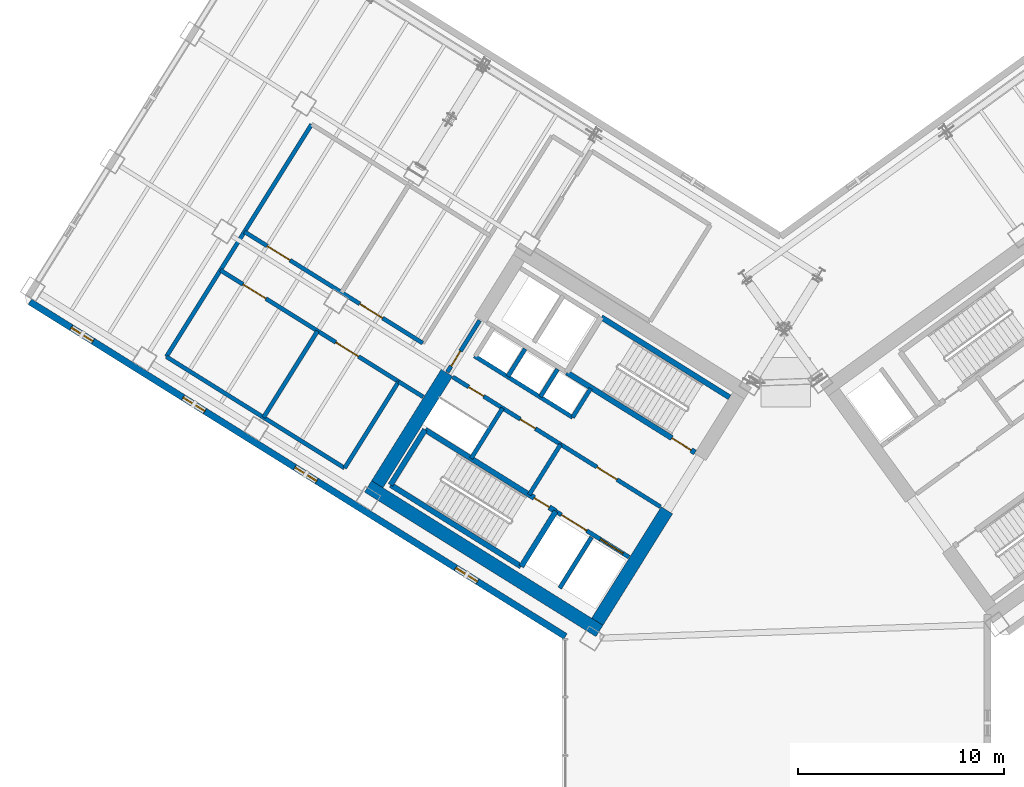
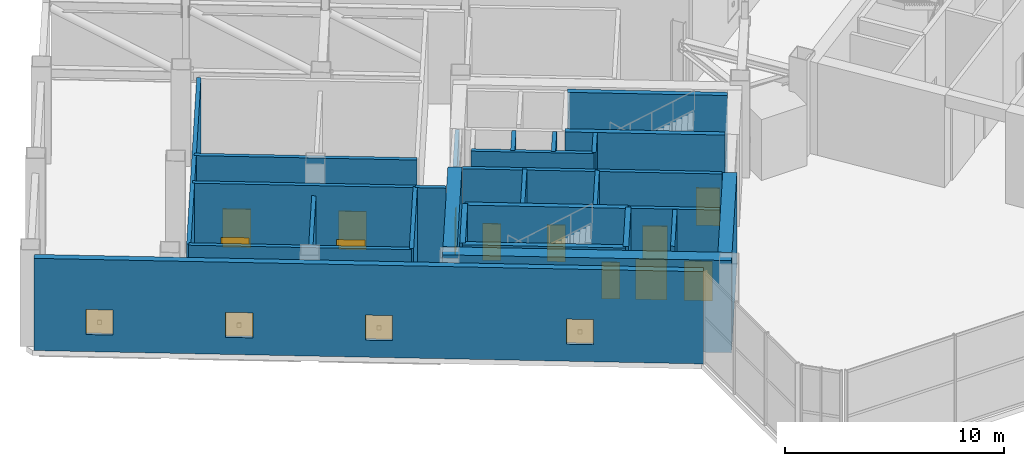
# One storey, part 14 of 21: 28 walls, 12 doors, 4 windows, 16 openings.
"""IFC4 building model written with IfcOpenShell, lengths in metres."""

import ifcopenshell
import ifcopenshell.guid

model = None  # the IFC model being written
_history = None  # IfcOwnerHistory: only IFC2X3 demands one
_inside = {}  # id of a spatial element -> (the spatial element, [elements in it])
_under = {}  # id of a project, library or spatial element -> (it, [spatial elements below it])
_declared = {}  # id of a project -> (the project, [libraries it declares])
_typed = {}  # id of a type object -> (the type object, [elements of that type])
_made_of = {}  # id of a material, layer set ... -> (it, [elements and type objects made of it])


def new_model(schema):
    """Start an empty IFC model of exactly this schema.

    Asked for "IFC4X3", IfcOpenShell would pick the latest addendum, in which some entities
    have other attributes; the version numbers below select the first issue.
    IFC2X3 requires an IfcOwnerHistory on every rooted entity: one is made here for all.
    """
    global model, _history
    if schema == "IFC4X3":
        model = ifcopenshell.file(schema_version=(4, 3, 0, 0))
    else:
        model = ifcopenshell.file(schema=schema)
    _inside.clear()
    _under.clear()
    _declared.clear()
    _typed.clear()
    _made_of.clear()
    _history = None
    if model.schema == "IFC2X3":
        org = make("IfcOrganization", Name="unknown")
        user = make(
            "IfcPersonAndOrganization",
            ThePerson=make("IfcPerson", FamilyName="unknown"),
            TheOrganization=org,
        )
        app = make(
            "IfcApplication",
            ApplicationDeveloper=org,
            Version="unknown",
            ApplicationFullName="unknown",
            ApplicationIdentifier="unknown",
        )
        _history = make(
            "IfcOwnerHistory",
            OwningUser=user,
            OwningApplication=app,
            ChangeAction="ADDED",
            CreationDate=0,
        )
    return model


def make(cls, **values):
    """One entity of the class cls with the attributes given. An attribute that is None is left unset."""
    return model.create_entity(
        cls, **{name: value for name, value in values.items() if value is not None}
    )


def rooted(cls, **values):
    """An entity with a GlobalId (a new one), such as an element, a storey or a relation."""
    return make(cls, GlobalId=ifcopenshell.guid.new(), OwnerHistory=_history, **values)


def si_unit(unit_type, name, prefix=None):
    """IfcSIUnit, for example si_unit("LENGTHUNIT", "METRE", prefix="MILLI")."""
    return make("IfcSIUnit", UnitType=unit_type, Prefix=prefix, Name=name)


def assignment(units):
    """IfcUnitAssignment: the units of a project."""
    return None if units is None else make("IfcUnitAssignment", Units=units)


def point(xyz):
    """IfcCartesianPoint."""
    return None if xyz is None else make("IfcCartesianPoint", Coordinates=xyz)


def direction(xyz):
    """IfcDirection."""
    return None if xyz is None else make("IfcDirection", DirectionRatios=xyz)


def frame(location, z_axis=None, x_axis=None):
    """IfcAxis2Placement3D, a coordinate frame: its origin and axes. An axis left out is left unset."""
    return make(
        "IfcAxis2Placement3D",
        Location=point(location),
        Axis=direction(z_axis),
        RefDirection=direction(x_axis),
    )


def frame_2d(location, x_axis=None):
    """IfcAxis2Placement2D, a coordinate frame in the plane: its origin and x axis."""
    return make(
        "IfcAxis2Placement2D", Location=point(location), RefDirection=direction(x_axis)
    )


def origin():
    """The frame at (0, 0, 0) with its axes left unset."""
    return frame((0.0, 0.0, 0.0))


def place(relative_to, where):
    """IfcLocalPlacement: puts the frame where relative to a parent placement (None: the world)."""
    return make(
        "IfcLocalPlacement", PlacementRelTo=relative_to, RelativePlacement=where
    )


def context(
    kind, dimensions, precision=None, world=None, true_north=None, identifier=None
):
    """IfcGeometricRepresentationContext, for example the 3D "Model" context."""
    return make(
        "IfcGeometricRepresentationContext",
        ContextIdentifier=identifier,
        ContextType=kind,
        CoordinateSpaceDimension=dimensions,
        Precision=precision,
        WorldCoordinateSystem=world,
        TrueNorth=true_north,
    )


def subcontext(parent, identifier, kind, view, scale=None):
    """IfcGeometricRepresentationSubContext, for example "Body" below "Model"."""
    return make(
        "IfcGeometricRepresentationSubContext",
        ContextIdentifier=identifier,
        ContextType=kind,
        ParentContext=parent,
        TargetScale=scale,
        TargetView=view,
    )


def project(units=None, contexts=None):
    """IfcProject with its units and contexts."""
    return rooted(
        "IfcProject",
        Name="project",
        RepresentationContexts=contexts,
        UnitsInContext=assignment(units),
    )


def spatial(cls, under=None, at=None, **own):
    """A site, building, storey or space (cls), placed at a placement, below another one or the project."""
    s = rooted(cls, ObjectPlacement=at, **own)
    if under is not None:
        _under.setdefault(under.id(), (under, []))[1].append(s)
    return s


def profile(cls, at=None, kind="AREA", **sizes):
    """A parametric profile (cls). Its sizes go by their IFC names, for example OverallWidth=200.0."""
    return make(cls, ProfileType=kind, Position=at, **sizes)


def rectangle(**sizes):
    """IfcRectangleProfileDef."""
    return profile("IfcRectangleProfileDef", **sizes)


def extrude(swept, where, along, depth):
    """IfcExtrudedAreaSolid: the profile swept, set in the frame where, extruded along a direction by depth."""
    return make(
        "IfcExtrudedAreaSolid",
        SweptArea=swept,
        Position=where,
        ExtrudedDirection=direction(along),
        Depth=depth,
    )


def shape(context_of_items, identifier, shape_type, items):
    """IfcShapeRepresentation: the items that make up one representation, for example the "Body"."""
    return make(
        "IfcShapeRepresentation",
        ContextOfItems=context_of_items,
        RepresentationIdentifier=identifier,
        RepresentationType=shape_type,
        Items=items,
    )


def source(mapping_origin, context_of_items, identifier, shape_type, items):
    """IfcRepresentationMap: a shape defined once, which mapped items show again and again."""
    return make(
        "IfcRepresentationMap",
        MappingOrigin=mapping_origin,
        MappedRepresentation=shape(context_of_items, identifier, shape_type, items),
    )


def transform(
    local_origin,
    x_axis=None,
    y_axis=None,
    z_axis=None,
    scale=None,
    scale2=None,
    scale3=None,
    uniform=True,
):
    """IfcCartesianTransformationOperator3D, or its non-uniform kind. x_axis, y_axis, z_axis: its Axis1, 2, 3."""
    if uniform:
        return make(
            "IfcCartesianTransformationOperator3D",
            Axis1=direction(x_axis),
            Axis2=direction(y_axis),
            LocalOrigin=point(local_origin),
            Scale=scale,
            Axis3=direction(z_axis),
        )
    return make(
        "IfcCartesianTransformationOperator3DnonUniform",
        Axis1=direction(x_axis),
        Axis2=direction(y_axis),
        LocalOrigin=point(local_origin),
        Scale=scale,
        Axis3=direction(z_axis),
        Scale2=scale2,
        Scale3=scale3,
    )


def mapped(mapping_source, mapping_target):
    """IfcMappedItem: shows the shape of a source again, moved by a transform."""
    return make(
        "IfcMappedItem", MappingSource=mapping_source, MappingTarget=mapping_target
    )


def material(Name=None, Category=None):
    """IfcMaterial."""
    return make("IfcMaterial", Name=Name, Category=Category)


def layer(
    of_material, thickness, ventilated=None, Name=None, Category=None, Priority=None
):
    """IfcMaterialLayer: one layer of a wall or slab, of a material (None: an air gap)."""
    return make(
        "IfcMaterialLayer",
        Material=of_material,
        LayerThickness=thickness,
        IsVentilated=ventilated,
        Name=Name,
        Category=Category,
        Priority=Priority,
    )


def layer_set(layers, Name=None):
    """IfcMaterialLayerSet."""
    return make("IfcMaterialLayerSet", MaterialLayers=layers, LayerSetName=Name)


def made_of(thing, what):
    """Note that an element or type object is made of a material, layer set ...; save() writes the relation."""
    if what is not None:
        _made_of.setdefault(what.id(), (what, []))[1].append(thing)
    return thing


def type_object(cls, material=None, **own):
    """A type object (cls), such as IfcWallType, which elements share."""
    return made_of(rooted(cls, **own), material)


def element(
    cls,
    number,
    at=None,
    inside=None,
    cuts=None,
    type_object=None,
    material=None,
    context=None,
    identifier="Body",
    shape_type=None,
    held_by="IfcProductDefinitionShape",
    body=None,
    shapes=None,
    **own,
):
    """One element of the class cls, such as IfcWall. Its Tag is "e" and its number.

    at: its placement. inside: the storey or other place that contains it. cuts: it is an
    opening in that element (IfcRelVoidsElement). A single representation is given by context,
    identifier, shape_type and body (its items); several are given by shapes. held_by: the class
    of the entity that holds the representations. save() writes the other relations.
    """
    e = rooted(cls, Tag="e%d" % number, ObjectPlacement=at, **own)
    if body is not None:
        shapes = [shape(context, identifier, shape_type, body)]
    if shapes is not None:
        e.Representation = make(held_by, Representations=shapes)
    if inside is not None:
        _inside.setdefault(inside.id(), (inside, []))[1].append(e)
    if cuts is not None:
        rooted(
            "IfcRelVoidsElement", RelatingBuildingElement=cuts, RelatedOpeningElement=e
        )
    if type_object is not None:
        _typed.setdefault(type_object.id(), (type_object, []))[1].append(e)
    return made_of(e, material)


def fill(opening, filler):
    """IfcRelFillsElement: the door or window that sits in an opening."""
    return rooted(
        "IfcRelFillsElement",
        RelatingOpeningElement=opening,
        RelatedBuildingElement=filler,
    )


def aggregate(whole, parts):
    """IfcRelAggregates: a whole, such as a stair, and the parts it consists of."""
    return rooted("IfcRelAggregates", RelatingObject=whole, RelatedObjects=parts)


def save(model, path):
    """Write the relations noted so far, then the file.

    IfcRelAggregates (storeys below a building ...), IfcRelContainedInSpatialStructure (elements
    in a storey), IfcRelDefinesByType, IfcRelAssociatesMaterial and IfcRelDeclares: one each for
    every whole, place, type object, material and project.
    """
    for whole, parts in _under.values():
        aggregate(whole, parts)
    for where, things in _inside.values():
        rooted(
            "IfcRelContainedInSpatialStructure",
            RelatedElements=things,
            RelatingStructure=where,
        )
    for kind, things in _typed.values():
        rooted("IfcRelDefinesByType", RelatedObjects=things, RelatingType=kind)
    for what, things in _made_of.values():
        rooted("IfcRelAssociatesMaterial", RelatedObjects=things, RelatingMaterial=what)
    for by, libraries in _declared.values():
        rooted("IfcRelDeclares", RelatingContext=by, RelatedDefinitions=libraries)
    model.write(path)


model = new_model("IFC4")

# Units and contexts
model_context = context("Model", 3, precision=1e-05, world=origin(), true_north=direction((0.0, 1.0)))
body_context = subcontext(model_context, "Body", "Model", "MODEL_VIEW")
ifc_project = project(units=[si_unit("LENGTHUNIT", "METRE"), si_unit("AREAUNIT", "SQUARE_METRE"), si_unit("VOLUMEUNIT", "CUBIC_METRE"), si_unit("PLANEANGLEUNIT", "RADIAN"), si_unit("MASSUNIT", "GRAM", prefix="KILO")], contexts=[model_context])

# Site, building, storey
site_placement = place(None, origin())
site = spatial("IfcSite", under=ifc_project, at=site_placement, CompositionType="ELEMENT")
building_placement = place(site_placement, origin())
building = spatial("IfcBuilding", under=site, at=building_placement, Name="Tlacorven Tower", CompositionType="ELEMENT")
storey_placement = place(building_placement, frame((0.0, 0.0, 84.60009765625)))
storey = spatial("IfcBuildingStorey", under=building, at=storey_placement, Name="L21", CompositionType="ELEMENT", Elevation=84.60009765625)

# Walls
ifc_material_1 = material(Name="Concrete C60/75", Category="concrete")
ifc_layer_1 = layer(ifc_material_1, 0.64990234375)
ifc_layer_set_1 = layer_set([ifc_layer_1], Name="Concrete C60/75")
wall_type_1 = type_object("IfcWallType", Name="WL-COR-650", PredefinedType="SHEAR", material=ifc_layer_set_1)
wall_1_placement = place(storey_placement, frame((33.40869140625, 12.449951171875, 0.0), z_axis=(0.0, 0.0, 1.0), x_axis=(-0.848051132073, 0.529914405721, 0.0)))
element("IfcWall", 1, at=wall_1_placement, inside=storey, type_object=wall_type_1, Name="L21 W core shear wall S2", PredefinedType="SHEAR", context=body_context, shape_type="SweptSolid", body=[
    extrude(rectangle(XDim=13.239990234375, YDim=0.64990234375, at=frame_2d((6.6201171875, 0.0))), origin(), (0.0, 0.0, 1.0), 5.14990234375),
])
wall_2_placement = place(storey_placement, frame((36.683349609375, 18.30419921875, 0.0), z_axis=(0.0, 0.0, 1.0), x_axis=(-0.529899109053, -0.848060690178, 0.0)))
element("IfcWall", 2, at=wall_2_placement, inside=storey, type_object=wall_type_1, Name="L21 W core end wall E1.2", PredefinedType="SHEAR", context=body_context, shape_type="SweptSolid", body=[
    extrude(rectangle(XDim=6.375244140625, YDim=0.64990234375, at=frame_2d((3.1875, 0.0))), origin(), (0.0, 0.0, 1.0), 5.14990234375),
])
wall_3_placement = place(storey_placement, frame((26.006591796875, 24.975830078125, 0.0), z_axis=(0.0, 0.0, 1.0), x_axis=(-0.529916319127, -0.848049936456, 0.0)))
element("IfcWall", 3, at=wall_3_placement, inside=storey, type_object=wall_type_1, Name="L21 W core end wall E2.2", PredefinedType="SHEAR", context=body_context, shape_type="SweptSolid", body=[
    extrude(rectangle(XDim=6.375, YDim=0.64990234375, at=frame_2d((3.1875, 0.0))), origin(), (0.0, 0.0, 1.0), 5.14990234375),
])

# Wall, openings, windows
ifc_material_2 = material(Name="Precast concrete C45/55", Category="concrete")
ifc_layer_2 = layer(ifc_material_2, 0.320068359375)
ifc_layer_set_2 = layer_set([ifc_layer_2], Name="Precast concrete C45/55")
wall_type_2 = type_object("IfcWallType", Name="WL-EXT-320", PredefinedType="STANDARD", material=ifc_layer_set_2)
wall_4_placement = place(storey_placement, frame((31.760009765625, 12.18310546875, 0.0), z_axis=(0.0, 0.0, 1.0), x_axis=(-0.848047074256, 0.529920899612, 0.0)))
wall_4 = element("IfcWall", 4, at=wall_4_placement, inside=storey, type_object=wall_type_2, Name="L21 Masonry-Frame Recessed Facade Wall 1", PredefinedType="STANDARD", context=body_context, shape_type="SweptSolid", body=[
    extrude(rectangle(XDim=30.652099609375, YDim=0.320068359375, at=frame_2d((15.326171875, 0.0))), origin(), (0.0, 0.0, 1.0), 5.14990234375),
])
opening_1_placement = place(wall_4_placement, frame((5.029296875, 0.0, 0.949951171875)))
opening_1 = element("IfcOpeningElement", 5, at=opening_1_placement, cuts=wall_4, Name="Opening WN20", PredefinedType="OPENING", context=body_context, shape_type="SweptSolid", body=[
    extrude(rectangle(XDim=1.25, YDim=1.39990234375, at=frame_2d((0.625, 0.699951171875))), frame((0.0, 0.169921875, 0.0), z_axis=(0.0, -1.0, 0.0), x_axis=(1.0, 0.0, 0.0)), (0.0, 0.0, 1.0), 0.340087890625),
])
opening_2_placement = place(wall_4_placement, frame((14.2333984375, 0.0, 0.949951171875)))
opening_2 = element("IfcOpeningElement", 6, at=opening_2_placement, cuts=wall_4, Name="Opening WN20", PredefinedType="OPENING", context=body_context, shape_type="SweptSolid", body=[
    extrude(rectangle(XDim=1.25, YDim=1.39990234375, at=frame_2d((0.625, 0.699951171875))), frame((0.0, 0.169921875, 0.0), z_axis=(0.0, -1.0, 0.0), x_axis=(1.0, 0.0, 0.0)), (0.0, 0.0, 1.0), 0.340087890625),
])
opening_3_placement = place(wall_4_placement, frame((20.63330078125, 0.0, 0.949951171875)))
opening_3 = element("IfcOpeningElement", 7, at=opening_3_placement, cuts=wall_4, Name="Opening WN20", PredefinedType="OPENING", context=body_context, shape_type="SweptSolid", body=[
    extrude(rectangle(XDim=1.25, YDim=1.39990234375, at=frame_2d((0.625, 0.699951171875))), frame((0.0, 0.169921875, 0.0), z_axis=(0.0, -1.0, 0.0), x_axis=(1.0, 0.0, 0.0)), (0.0, 0.0, 1.0), 0.340087890625),
])
opening_4_placement = place(wall_4_placement, frame((27.033203125, 0.0, 0.949951171875)))
opening_4 = element("IfcOpeningElement", 8, at=opening_4_placement, cuts=wall_4, Name="Opening WN20", PredefinedType="OPENING", context=body_context, shape_type="SweptSolid", body=[
    extrude(rectangle(XDim=1.25, YDim=1.39990234375, at=frame_2d((0.625, 0.699951171875))), frame((0.0, 0.169921875, 0.0), z_axis=(0.0, -1.0, 0.0), x_axis=(1.0, 0.0, 0.0)), (0.0, 0.0, 1.0), 0.340087890625),
])
ifc_material_3 = material(Name="Dark solar low-E double glazing in anodised aluminium frame", Category="aluminium")
window_type = type_object("IfcWindowType", Name="WN-CRN-1250X1500", PartitioningType="SINGLE_PANEL", PredefinedType="WINDOW", material=ifc_material_3)
shared_shape_1 = source(origin(), body_context, "Body", "SweptSolid", [
    extrude(rectangle(XDim=1.25, YDim=1.39990234375, at=frame_2d((0.625, 0.699951171875))), frame((0.0, 0.030029296875, 0.0), z_axis=(0.0, -1.0, 0.0), x_axis=(1.0, 0.0, 0.0)), (0.0, 0.0, 1.0), 0.06005859375),
])
window_1_placement = place(opening_1_placement, origin())
window_1 = element("IfcWindow", 9, at=window_1_placement, inside=storey, type_object=window_type, Name="L21 Acoustic Plant Facade Window 1.1", OverallHeight=1.39990234375, OverallWidth=1.25, PartitioningType="SINGLE_PANEL", PredefinedType="WINDOW", context=body_context, shape_type="MappedRepresentation", body=[
    mapped(shared_shape_1, transform((0.0, 0.0, 0.0), scale=1.0)),
])
fill(opening_1, window_1)
window_2_placement = place(opening_2_placement, origin())
window_2 = element("IfcWindow", 10, at=window_2_placement, inside=storey, type_object=window_type, Name="L21 Acoustic Plant Facade Window 1.2", OverallHeight=1.39990234375, OverallWidth=1.25, PartitioningType="SINGLE_PANEL", PredefinedType="WINDOW", context=body_context, shape_type="MappedRepresentation", body=[
    mapped(shared_shape_1, transform((0.0, 0.0, 0.0), scale=1.0)),
])
fill(opening_2, window_2)
window_3_placement = place(opening_3_placement, origin())
window_3 = element("IfcWindow", 11, at=window_3_placement, inside=storey, type_object=window_type, Name="L21 Acoustic Plant Facade Window 1.3", OverallHeight=1.39990234375, OverallWidth=1.25, PartitioningType="SINGLE_PANEL", PredefinedType="WINDOW", context=body_context, shape_type="MappedRepresentation", body=[
    mapped(shared_shape_1, transform((0.0, 0.0, 0.0), scale=1.0)),
])
fill(opening_3, window_3)
window_4_placement = place(opening_4_placement, origin())
window_4 = element("IfcWindow", 12, at=window_4_placement, inside=storey, type_object=window_type, Name="L21 Acoustic Plant Facade Window 1.4", OverallHeight=1.39990234375, OverallWidth=1.25, PartitioningType="SINGLE_PANEL", PredefinedType="WINDOW", context=body_context, shape_type="MappedRepresentation", body=[
    mapped(shared_shape_1, transform((0.0, 0.0, 0.0), scale=1.0)),
])
fill(opening_4, window_4)

# Wall, openings, doors
ifc_material_4 = material(Name="Concrete C40/50", Category="concrete")
ifc_layer_3 = layer(ifc_material_4, 0.199951171875)
ifc_layer_set_3 = layer_set([ifc_layer_3], Name="Concrete C40/50")
wall_type_3 = type_object("IfcWallType", Name="WL-SHF-200", PredefinedType="STANDARD", material=ifc_layer_set_3)
wall_5_placement = place(storey_placement, frame((34.84814453125, 16.03125, 0.0), z_axis=(0.0, 0.0, 1.0), x_axis=(-0.848044042236, 0.529925751807, 0.0)))
wall_5 = element("IfcWall", 13, at=wall_5_placement, inside=storey, type_object=wall_type_3, Name="L21 Core W Firefighting Lift Shaft Front Wall", PredefinedType="STANDARD", context=body_context, shape_type="SweptSolid", body=[
    extrude(rectangle(XDim=4.197998046875, YDim=0.199951171875, at=frame_2d((2.09912109375, 0.0))), origin(), (0.0, 0.0, 1.0), 5.139892578125),
])
opening_5_placement = place(wall_5_placement, frame((0.347900390625, 0.0, 0.0)))
opening_5 = element("IfcOpeningElement", 14, at=opening_5_placement, cuts=wall_5, Name="Opening LD03", PredefinedType="OPENING", context=body_context, shape_type="SweptSolid", body=[
    extrude(rectangle(XDim=1.300048828125, YDim=2.199951171875, at=frame_2d((0.64990234375, 1.10009765625))), frame((0.0, 0.10986328125, 0.0), z_axis=(0.0, -1.0, 0.0), x_axis=(1.0, 0.0, 0.0)), (0.0, 0.0, 1.0), 0.219970703125),
])
opening_6_placement = place(wall_5_placement, frame((2.423095703125, 0.0, 0.0)))
opening_6 = element("IfcOpeningElement", 15, at=opening_6_placement, cuts=wall_5, Name="Opening LD04", PredefinedType="OPENING", context=body_context, shape_type="SweptSolid", body=[
    extrude(rectangle(XDim=1.449951171875, YDim=2.25, at=frame_2d((0.72509765625, 1.125))), frame((0.0, 0.10986328125, 0.0), z_axis=(0.0, -1.0, 0.0), x_axis=(1.0, 0.0, 0.0)), (0.0, 0.0, 1.0), 0.219970703125),
])
ifc_material_5 = material(Name="Fire-rated steel door assembly", Category="steel")
door_type_1 = type_object("IfcDoorType", Name="DR-LFT-SLID-1300", OperationType="DOUBLE_DOOR_SLIDING", PredefinedType="DOOR", material=ifc_material_5)
shared_shape_2 = source(origin(), body_context, "Body", "SweptSolid", [
    extrude(rectangle(XDim=1.300048828125, YDim=2.199951171875, at=frame_2d((0.64990234375, 1.10009765625))), frame((0.0, 0.02490234375, 0.0), z_axis=(0.0, -1.0, 0.0), x_axis=(1.0, 0.0, 0.0)), (0.0, 0.0, 1.0), 0.050048828125),
])
door_1_placement = place(opening_5_placement, origin())
door_1 = element("IfcDoor", 16, at=door_1_placement, inside=storey, type_object=door_type_1, Name="L21 Lift FFL-W1 Sliding Landing Door", OperationType="DOUBLE_DOOR_SLIDING", OverallHeight=2.199951171875, OverallWidth=1.300048828125, PredefinedType="DOOR", context=body_context, shape_type="MappedRepresentation", body=[
    mapped(shared_shape_2, transform((0.0, 0.0, 0.0), scale=1.0)),
])
fill(opening_5, door_1)
door_type_2 = type_object("IfcDoorType", Name="DR-LFT-SLID-1450", OperationType="DOUBLE_DOOR_SLIDING", PredefinedType="DOOR", material=ifc_material_5)
shared_shape_3 = source(origin(), body_context, "Body", "SweptSolid", [
    extrude(rectangle(XDim=1.449951171875, YDim=2.25, at=frame_2d((0.72509765625, 1.125))), frame((0.0, 0.02490234375, 0.0), z_axis=(0.0, -1.0, 0.0), x_axis=(1.0, 0.0, 0.0)), (0.0, 0.0, 1.0), 0.050048828125),
])
door_2_placement = place(opening_6_placement, origin())
door_2 = element("IfcDoor", 17, at=door_2_placement, inside=storey, type_object=door_type_2, Name="L21 Lift SVL-W1 Sliding Landing Door", OperationType="DOUBLE_DOOR_SLIDING", OverallHeight=2.25, OverallWidth=1.449951171875, PredefinedType="DOOR", context=body_context, shape_type="MappedRepresentation", body=[
    mapped(shared_shape_3, transform((0.0, 0.0, 0.0), scale=1.0)),
])
fill(opening_6, door_2)

# Wall, opening, door
wall_6_placement = place(storey_placement, frame((36.374267578125, 18.4736328125, 0.0), z_axis=(0.0, 0.0, 1.0), x_axis=(-0.848051071577, 0.529914502535, 0.0)))
wall_6 = element("IfcWall", 18, at=wall_6_placement, inside=storey, type_object=wall_type_3, Name="L21 Core W Smoke Lobby Wall", PredefinedType="STANDARD", context=body_context, shape_type="SweptSolid", body=[
    extrude(rectangle(XDim=5.718017578125, YDim=0.199951171875, at=frame_2d((2.85888671875, 0.0))), origin(), (0.0, 0.0, 1.0), 5.139892578125),
])
opening_7_placement = place(wall_6_placement, frame((2.498046875, 0.0, 0.0)))
opening_7 = element("IfcOpeningElement", 19, at=opening_7_placement, cuts=wall_6, Name="Opening D09", PredefinedType="OPENING", context=body_context, shape_type="SweptSolid", body=[
    extrude(rectangle(XDim=1.14990234375, YDim=2.10009765625, at=frame_2d((0.574951171875, 1.050048828125))), frame((0.0, 0.10986328125, 0.0), z_axis=(0.0, -1.0, 0.0), x_axis=(1.0, 0.0, 0.0)), (0.0, 0.0, 1.0), 0.219970703125),
])
door_type_3 = type_object("IfcDoorType", Name="DR-FFL-FD60-1150", OperationType="NOTDEFINED", PredefinedType="DOOR", material=ifc_material_5)
shared_shape_4 = source(origin(), body_context, "Body", "SweptSolid", [
    extrude(rectangle(XDim=1.14990234375, YDim=2.10009765625, at=frame_2d((0.574951171875, 1.050048828125))), frame((0.0, 0.02490234375, 0.0), z_axis=(0.0, -1.0, 0.0), x_axis=(1.0, 0.0, 0.0)), (0.0, 0.0, 1.0), 0.050048828125),
])
door_3_placement = place(opening_7_placement, origin())
door_3 = element("IfcDoor", 20, at=door_3_placement, inside=storey, type_object=door_type_3, Name="L21 Firefighting Lobby W Fire Door", OperationType="SINGLE_SWING_LEFT", OverallHeight=2.10009765625, OverallWidth=1.14990234375, PredefinedType="DOOR", context=body_context, shape_type="MappedRepresentation", body=[
    mapped(shared_shape_4, transform((0.0, 0.0, 0.0), scale=1.0)),
])
fill(opening_7, door_3)

# Walls
wall_7_placement = place(storey_placement, frame((32.108154296875, 22.81396484375, 0.0), z_axis=(0.0, 0.0, 1.0), x_axis=(-0.848042229521, 0.529928652696, 0.0)))
element("IfcWall", 21, at=wall_7_placement, inside=storey, type_object=wall_type_3, Name="L21 partition 11", PredefinedType="STANDARD", context=body_context, shape_type="SweptSolid", body=[
    extrude(rectangle(XDim=5.6201171875, YDim=0.199951171875, at=frame_2d((2.81005859375, 0.0))), origin(), (0.0, 0.0, 1.0), 5.139892578125),
])
wall_8_placement = place(storey_placement, frame((32.982421875, 24.21337890625, 0.0), z_axis=(0.0, 0.0, 1.0), x_axis=(-0.529839334948, -0.84809803628, 0.0)))
element("IfcWall", 22, at=wall_8_placement, inside=storey, type_object=wall_type_3, Name="L21 partition 12", PredefinedType="STANDARD", context=body_context, shape_type="SweptSolid", body=[
    extrude(rectangle(XDim=1.650146484375, YDim=0.199951171875, at=frame_2d((0.8251953125, 0.0))), origin(), (0.0, 0.0, 1.0), 5.139892578125),
])
wall_9_placement = place(storey_placement, frame((33.02880859375, 17.003173828125, 0.0), z_axis=(0.0, 0.0, 1.0), x_axis=(-0.529916267533, -0.848049968695, 0.0)))
element("IfcWall", 23, at=wall_9_placement, inside=storey, type_object=wall_type_3, Name="L21 partition 14", PredefinedType="STANDARD", context=body_context, shape_type="SweptSolid", body=[
    extrude(rectangle(XDim=2.919921875, YDim=0.199951171875, at=frame_2d((1.4599609375, 0.0))), origin(), (0.0, 0.0, 1.0), 5.139892578125),
])
for number, where, z_axis, x_axis, name in (
    (24, (31.378662109375, 25.156494140625, 0.0), (0.0, 0.0, 1.0), (-0.529998940003, -0.847998304005, 0.0), "L21 partition 18"),
    (25, (29.80126953125, 26.14208984375, 0.0), (0.0, 0.0, 1.0), (-0.529998940003, -0.847998304005, 0.0), "L21 partition 19"),
):
    element("IfcWall", number, at=place(storey_placement, frame(where, z_axis=z_axis, x_axis=x_axis)), inside=storey, type_object=wall_type_3, Name=name, PredefinedType="STANDARD", context=body_context, shape_type="SweptSolid", body=[
        extrude(rectangle(XDim=1.580078125, YDim=0.199951171875, at=frame_2d((0.7900390625, 0.0))), origin(), (0.0, 0.0, 1.0), 5.139892578125),
    ])
for number, where, z_axis, x_axis, name in (
    (26, (31.525146484375, 21.503662109375, 0.0), (0.0, 0.0, 1.0), (-0.529907497854, -0.848055448493, 0.0), "L21 partition 20"),
    (27, (28.709716796875, 23.26318359375, 0.0), (0.0, 0.0, 1.0), (-0.529907497854, -0.848055448493, 0.0), "L21 partition 21"),
):
    element("IfcWall", number, at=place(storey_placement, frame(where, z_axis=z_axis, x_axis=x_axis)), inside=storey, type_object=wall_type_3, Name=name, PredefinedType="STANDARD", context=body_context, shape_type="SweptSolid", body=[
        extrude(rectangle(XDim=2.8798828125, YDim=0.199951171875, at=frame_2d((1.43994140625, 0.0))), origin(), (0.0, 0.0, 1.0), 5.139892578125),
    ])

# Wall, openings, doors
wall_10_placement = place(storey_placement, frame((31.525146484375, 21.503662109375, 0.0), z_axis=(0.0, 0.0, 1.0), x_axis=(-0.848044998614, 0.529924221305, 0.0)))
wall_10 = element("IfcWall", 28, at=wall_10_placement, inside=storey, type_object=wall_type_3, Name="L21 Core W North Service Wall", PredefinedType="STANDARD", context=body_context, shape_type="SweptSolid", body=[
    extrude(rectangle(XDim=6.16796875, YDim=0.199951171875, at=frame_2d((3.083984375, 0.0))), origin(), (0.0, 0.0, 1.0), 5.139892578125),
])
opening_8_placement = place(wall_10_placement, frame((4.39990234375, 0.0, 0.0)))
opening_8 = element("IfcOpeningElement", 29, at=opening_8_placement, cuts=wall_10, Name="Opening D19", PredefinedType="OPENING", context=body_context, shape_type="SweptSolid", body=[
    extrude(rectangle(XDim=0.860107421875, YDim=2.050048828125, at=frame_2d((0.43017578125, 1.02490234375))), frame((0.0, 0.10986328125, 0.0), z_axis=(0.0, -1.0, 0.0), x_axis=(1.0, 0.0, 0.0)), (0.0, 0.0, 1.0), 0.219970703125),
])
opening_9_placement = place(wall_10_placement, frame((1.449951171875, 0.0, 0.0)))
opening_9 = element("IfcOpeningElement", 30, at=opening_9_placement, cuts=wall_10, Name="Opening D19", PredefinedType="OPENING", context=body_context, shape_type="SweptSolid", body=[
    extrude(rectangle(XDim=0.860107421875, YDim=2.050048828125, at=frame_2d((0.43017578125, 1.02490234375))), frame((0.0, 0.10986328125, 0.0), z_axis=(0.0, -1.0, 0.0), x_axis=(1.0, 0.0, 0.0)), (0.0, 0.0, 1.0), 0.219970703125),
])
door_type_4 = type_object("IfcDoorType", Name="DR-RSR-FD60-0860", OperationType="NOTDEFINED", PredefinedType="DOOR", material=ifc_material_5)
shared_shape_5 = source(origin(), body_context, "Body", "SweptSolid", [
    extrude(rectangle(XDim=0.860107421875, YDim=2.050048828125, at=frame_2d((0.43017578125, 1.02490234375))), frame((0.0, 0.02490234375, 0.0), z_axis=(0.0, -1.0, 0.0), x_axis=(1.0, 0.0, 0.0)), (0.0, 0.0, 1.0), 0.050048828125),
])
door_4_placement = place(opening_8_placement, frame((0.860107421875, 0.0, 0.0), z_axis=(0.0, 0.0, 1.0), x_axis=(-1.0, 0.0, 0.0)))
door_4 = element("IfcDoor", 31, at=door_4_placement, inside=storey, type_object=door_type_4, Name="L21 Electrical Riser Access Door W", OperationType="SINGLE_SWING_RIGHT", OverallHeight=2.050048828125, OverallWidth=0.860107421875, PredefinedType="DOOR", context=body_context, shape_type="MappedRepresentation", body=[
    mapped(shared_shape_5, transform((0.0, 0.0, 0.0), scale=1.0)),
])
fill(opening_8, door_4)
door_5_placement = place(opening_9_placement, frame((0.860107421875, 0.0, 0.0), z_axis=(0.0, 0.0, 1.0), x_axis=(-1.0, 0.0, 0.0)))
door_5 = element("IfcDoor", 32, at=door_5_placement, inside=storey, type_object=door_type_4, Name="L21 Housekeeping Linen Access Door W", OperationType="SINGLE_SWING_LEFT", OverallHeight=2.050048828125, OverallWidth=0.860107421875, PredefinedType="DOOR", context=body_context, shape_type="MappedRepresentation", body=[
    mapped(shared_shape_5, transform((0.0, 0.0, 0.0), scale=1.0)),
])
fill(opening_9, door_5)

wall_11_placement = place(storey_placement, frame((24.83203125, 26.417236328125, 0.0), z_axis=(0.0, 0.0, 1.0), x_axis=(-0.848045364107, 0.529923636401, 0.0)))
wall_11 = element("IfcWall", 33, at=wall_11_placement, inside=storey, type_object=wall_type_3, Name="L21 partition 46", PredefinedType="STANDARD", context=body_context, shape_type="SweptSolid", body=[
    extrude(rectangle(XDim=10.2001953125, YDim=0.199951171875, at=frame_2d((5.10009765625, 0.0))), origin(), (0.0, 0.0, 1.0), 5.139892578125),
])
opening_10_placement = place(wall_11_placement, frame((2.300048828125, 0.0, 0.0)))
opening_10 = element("IfcOpeningElement", 34, at=opening_10_placement, cuts=wall_11, Name="Opening D18", PredefinedType="OPENING", context=body_context, shape_type="SweptSolid", body=[
    extrude(rectangle(XDim=1.300048828125, YDim=2.14990234375, at=frame_2d((0.64990234375, 1.074951171875))), frame((0.0, 0.10986328125, 0.0), z_axis=(0.0, -1.0, 0.0), x_axis=(1.0, 0.0, 0.0)), (0.0, 0.0, 1.0), 0.219970703125),
])
opening_11_placement = place(wall_11_placement, frame((7.60009765625, 0.0, 0.0)))
opening_11 = element("IfcOpeningElement", 35, at=opening_11_placement, cuts=wall_11, Name="Opening D18", PredefinedType="OPENING", context=body_context, shape_type="SweptSolid", body=[
    extrude(rectangle(XDim=1.300048828125, YDim=2.14990234375, at=frame_2d((0.64990234375, 1.074951171875))), frame((0.0, 0.10986328125, 0.0), z_axis=(0.0, -1.0, 0.0), x_axis=(1.0, 0.0, 0.0)), (0.0, 0.0, 1.0), 0.219970703125),
])
door_type_5 = type_object("IfcDoorType", Name="DR-MEP-FD60-1300", OperationType="DOUBLE_DOOR_SINGLE_SWING", PredefinedType="DOOR", material=ifc_material_5)
shared_shape_6 = source(origin(), body_context, "Body", "SweptSolid", [
    extrude(rectangle(XDim=1.300048828125, YDim=2.14990234375, at=frame_2d((0.64990234375, 1.074951171875))), frame((0.0, 0.02490234375, 0.0), z_axis=(0.0, -1.0, 0.0), x_axis=(1.0, 0.0, 0.0)), (0.0, 0.0, 1.0), 0.050048828125),
])
door_6_placement = place(opening_10_placement, frame((1.300048828125, 0.0, 0.0), z_axis=(0.0, 0.0, 1.0), x_axis=(-1.0, 0.0, 0.0)))
door_6 = element("IfcDoor", 36, at=door_6_placement, inside=storey, type_object=door_type_5, Name="L21 door 023", OperationType="DOUBLE_DOOR_SINGLE_SWING", OverallHeight=2.14990234375, OverallWidth=1.300048828125, PredefinedType="DOOR", context=body_context, shape_type="MappedRepresentation", body=[
    mapped(shared_shape_6, transform((0.0, 0.0, 0.0), scale=1.0)),
])
fill(opening_10, door_6)
door_7_placement = place(opening_11_placement, frame((1.300048828125, 0.0, 0.0), z_axis=(0.0, 0.0, 1.0), x_axis=(-1.0, 0.0, 0.0)))
door_7 = element("IfcDoor", 37, at=door_7_placement, inside=storey, type_object=door_type_5, Name="L21 door 024", OperationType="DOUBLE_DOOR_SINGLE_SWING", OverallHeight=2.14990234375, OverallWidth=1.300048828125, PredefinedType="DOOR", context=body_context, shape_type="MappedRepresentation", body=[
    mapped(shared_shape_6, transform((0.0, 0.0, 0.0), scale=1.0)),
])
fill(opening_11, door_7)

wall_12_placement = place(storey_placement, frame((23.666015625, 24.551513671875, 0.0), z_axis=(0.0, 0.0, 1.0), x_axis=(-0.848038642463, 0.529934393004, 0.0)))
wall_12 = element("IfcWall", 38, at=wall_12_placement, inside=storey, type_object=wall_type_3, Name="L21 partition 47", PredefinedType="STANDARD", context=body_context, shape_type="SweptSolid", body=[
    extrude(rectangle(XDim=10.199951171875, YDim=0.199951171875, at=frame_2d((5.10009765625, 0.0))), origin(), (0.0, 0.0, 1.0), 5.139892578125),
])
opening_12_placement = place(wall_12_placement, frame((2.300048828125, 0.0, 0.0)))
opening_12 = element("IfcOpeningElement", 39, at=opening_12_placement, cuts=wall_12, Name="Opening D18", PredefinedType="OPENING", context=body_context, shape_type="SweptSolid", body=[
    extrude(rectangle(XDim=1.300048828125, YDim=2.14990234375, at=frame_2d((0.64990234375, 1.074951171875))), frame((0.0, 0.10986328125, 0.0), z_axis=(0.0, -1.0, 0.0), x_axis=(1.0, 0.0, 0.0)), (0.0, 0.0, 1.0), 0.219970703125),
])
opening_13_placement = place(wall_12_placement, frame((7.60009765625, 0.0, 0.0)))
opening_13 = element("IfcOpeningElement", 40, at=opening_13_placement, cuts=wall_12, Name="Opening D18", PredefinedType="OPENING", context=body_context, shape_type="SweptSolid", body=[
    extrude(rectangle(XDim=1.300048828125, YDim=2.14990234375, at=frame_2d((0.64990234375, 1.074951171875))), frame((0.0, 0.10986328125, 0.0), z_axis=(0.0, -1.0, 0.0), x_axis=(1.0, 0.0, 0.0)), (0.0, 0.0, 1.0), 0.219970703125),
])
door_8_placement = place(opening_12_placement, origin())
door_8 = element("IfcDoor", 41, at=door_8_placement, inside=storey, type_object=door_type_5, Name="L21 door 021", OperationType="DOUBLE_DOOR_SINGLE_SWING", OverallHeight=2.14990234375, OverallWidth=1.300048828125, PredefinedType="DOOR", context=body_context, shape_type="MappedRepresentation", body=[
    mapped(shared_shape_6, transform((0.0, 0.0, 0.0), scale=1.0)),
])
fill(opening_12, door_8)
door_9_placement = place(opening_13_placement, origin())
door_9 = element("IfcDoor", 42, at=door_9_placement, inside=storey, type_object=door_type_5, Name="L21 door 022", OperationType="DOUBLE_DOOR_SINGLE_SWING", OverallHeight=2.14990234375, OverallWidth=1.300048828125, PredefinedType="DOOR", context=body_context, shape_type="MappedRepresentation", body=[
    mapped(shared_shape_6, transform((0.0, 0.0, 0.0), scale=1.0)),
])
fill(opening_13, door_9)

# Wall
wall_13_placement = place(storey_placement, frame((19.44091796875, 37.037841796875, 0.0), z_axis=(0.0, 0.0, 1.0), x_axis=(-0.529936237412, -0.848037489901, 0.0)))
element("IfcWall", 43, at=wall_13_placement, inside=storey, type_object=wall_type_3, Name="L21 partition 48", PredefinedType="STANDARD", context=body_context, shape_type="SweptSolid", body=[
    extrude(rectangle(XDim=13.2998046875, YDim=0.199951171875, at=frame_2d((6.64990234375, 0.0))), origin(), (0.0, 0.0, 1.0), 5.139892578125),
])

# Wall, opening, door
wall_14_placement = place(storey_placement, frame((27.59619140625, 27.52001953125, 0.0), z_axis=(0.0, 0.0, 1.0), x_axis=(-0.529865479138, -0.848081702443, 0.0)))
wall_14 = element("IfcWall", 44, at=wall_14_placement, inside=storey, type_object=wall_type_3, Name="L21 partition 49", PredefinedType="STANDARD", context=body_context, shape_type="SweptSolid", body=[
    extrude(rectangle(XDim=2.9599609375, YDim=0.199951171875, at=frame_2d((1.47998046875, 0.0))), origin(), (0.0, 0.0, 1.0), 5.139892578125),
])
opening_14_placement = place(wall_14_placement, frame((1.760009765625, 0.0, 0.0)))
opening_14 = element("IfcOpeningElement", 45, at=opening_14_placement, cuts=wall_14, Name="Opening D19", PredefinedType="OPENING", context=body_context, shape_type="SweptSolid", body=[
    extrude(rectangle(XDim=0.860107421875, YDim=2.050048828125, at=frame_2d((0.43017578125, 1.02490234375))), frame((0.0, 0.10986328125, 0.0), z_axis=(0.0, -1.0, 0.0), x_axis=(1.0, 0.0, 0.0)), (0.0, 0.0, 1.0), 0.219970703125),
])
door_10_placement = place(opening_14_placement, origin())
door_10 = element("IfcDoor", 46, at=door_10_placement, inside=storey, type_object=door_type_4, Name="L21 door 019", OperationType="SINGLE_SWING_LEFT", OverallHeight=2.050048828125, OverallWidth=0.860107421875, PredefinedType="DOOR", context=body_context, shape_type="MappedRepresentation", body=[
    mapped(shared_shape_5, transform((0.0, 0.0, 0.0), scale=1.0)),
])
fill(opening_14, door_10)

# Walls
wall_15_placement = place(storey_placement, frame((24.860107421875, 23.805419921875, 0.0), z_axis=(0.0, 0.0, 1.0), x_axis=(-0.848066485351, 0.529889834233, 0.0)))
element("IfcWall", 47, at=wall_15_placement, inside=storey, type_object=wall_type_3, Name="L21 partition 55", PredefinedType="STANDARD", context=body_context, shape_type="SweptSolid", body=[
    extrude(rectangle(XDim=1.407958984375, YDim=0.199951171875, at=frame_2d((0.7041015625, 0.0))), origin(), (0.0, 0.0, 1.0), 5.139892578125),
])
wall_16_placement = place(storey_placement, frame((19.731201171875, 27.010498046875, 0.0), z_axis=(0.0, 0.0, 1.0), x_axis=(-0.529896970672, -0.848062026312, 0.0)))
element("IfcWall", 48, at=wall_16_placement, inside=storey, type_object=wall_type_3, Name="L21 partition 57", PredefinedType="STANDARD", context=body_context, shape_type="SweptSolid", body=[
    extrude(rectangle(XDim=4.9501953125, YDim=0.199951171875, at=frame_2d((2.47509765625, 0.0))), origin(), (0.0, 0.0, 1.0), 4.574951171875),
])
wall_17_placement = place(storey_placement, frame((21.04296875, 20.353759765625, 0.0), z_axis=(0.0, 0.0, 1.0), x_axis=(-0.848045364107, 0.529923636401, 0.0)))
element("IfcWall", 49, at=wall_17_placement, inside=storey, type_object=wall_type_3, Name="L21 partition 59", PredefinedType="STANDARD", context=body_context, shape_type="SweptSolid", body=[
    extrude(rectangle(XDim=10.2001953125, YDim=0.199951171875, at=frame_2d((5.10009765625, 0.0))), origin(), (0.0, 0.0, 1.0), 5.139892578125),
])
wall_18_placement = place(storey_placement, frame((23.666015625, 24.551513671875, 0.0), z_axis=(0.0, 0.0, 1.0), x_axis=(-0.529919135231, -0.848048176766, 0.0)))
element("IfcWall", 50, at=wall_18_placement, inside=storey, type_object=wall_type_3, Name="L21 partition 61", PredefinedType="STANDARD", context=body_context, shape_type="SweptSolid", body=[
    extrude(rectangle(XDim=4.949951171875, YDim=0.199951171875, at=frame_2d((2.47509765625, 0.0))), origin(), (0.0, 0.0, 1.0), 5.139892578125),
])
ifc_material_6 = material(Name="Concrete C50/60", Category="concrete")
ifc_layer_4 = layer(ifc_material_6, 0.260009765625)
ifc_layer_set_4 = layer_set([ifc_layer_4], Name="Concrete C50/60")
wall_type_4 = type_object("IfcWallType", Name="WL-STW-260", PredefinedType="SHEAR", material=ifc_layer_set_4)
wall_19_placement = place(storey_placement, frame((29.60498046875, 15.581298828125, 0.0), z_axis=(0.0, 0.0, 1.0), x_axis=(-0.848036911448, 0.529937163087, 0.0)))
element("IfcWall", 51, at=wall_19_placement, inside=storey, type_object=wall_type_4, Name="L21 Stair W1 Far Shear Wall", PredefinedType="SHEAR", context=body_context, shape_type="SweptSolid", body=[
    extrude(rectangle(XDim=7.4599609375, YDim=0.260009765625, at=frame_2d((3.72998046875, 0.0))), origin(), (0.0, 0.0, 1.0), 5.14990234375),
])

# Wall, opening, door
wall_20_placement = place(storey_placement, frame((31.279541015625, 18.26123046875, 0.0), z_axis=(0.0, 0.0, 1.0), x_axis=(-0.848051618787, 0.529913626805, 0.0)))
wall_20 = element("IfcWall", 52, at=wall_20_placement, inside=storey, type_object=wall_type_4, Name="L21 Stair W1 Lobby Shear Wall", PredefinedType="SHEAR", context=body_context, shape_type="SweptSolid", body=[
    extrude(rectangle(XDim=7.4599609375, YDim=0.260009765625, at=frame_2d((3.72998046875, 0.0))), origin(), (0.0, 0.0, 1.0), 5.14990234375),
])
opening_15_placement = place(wall_20_placement, frame((0.360107421875, 0.0, 0.0)))
opening_15 = element("IfcOpeningElement", 53, at=opening_15_placement, cuts=wall_20, Name="Opening D19", PredefinedType="OPENING", context=body_context, shape_type="SweptSolid", body=[
    extrude(rectangle(XDim=0.860107421875, YDim=2.050048828125, at=frame_2d((0.43017578125, 1.02490234375))), frame((0.0, 0.14013671875, 0.0), z_axis=(0.0, -1.0, 0.0), x_axis=(1.0, 0.0, 0.0)), (0.0, 0.0, 1.0), 0.280029296875),
])
door_11_placement = place(opening_15_placement, frame((0.860107421875, 0.0, 0.0), z_axis=(0.0, 0.0, 1.0), x_axis=(-1.0, 0.0, 0.0)))
door_11 = element("IfcDoor", 54, at=door_11_placement, inside=storey, type_object=door_type_4, Name="L21 Exit Stair W1 Fire Door", OperationType="SINGLE_SWING_LEFT", OverallHeight=2.050048828125, OverallWidth=0.860107421875, PredefinedType="DOOR", context=body_context, shape_type="MappedRepresentation", body=[
    mapped(shared_shape_5, transform((0.0, 0.0, 0.0), scale=1.0)),
])
fill(opening_15, door_11)

# Walls
wall_21_placement = place(storey_placement, frame((31.2880859375, 18.255859375, 0.0), z_axis=(0.0, 0.0, 1.0), x_axis=(-0.529943379326, -0.848033026897, 0.0)))
element("IfcWall", 55, at=wall_21_placement, inside=storey, type_object=wall_type_4, Name="L21 Stair W1 West Shear Wall", PredefinedType="SHEAR", context=body_context, shape_type="SweptSolid", body=[
    extrude(rectangle(XDim=3.159912109375, YDim=0.260009765625, at=frame_2d((1.580078125, 0.0))), origin(), (0.0, 0.0, 1.0), 5.14990234375),
])
wall_22_placement = place(storey_placement, frame((24.944580078125, 22.2197265625, 0.0), z_axis=(0.0, 0.0, 1.0), x_axis=(-0.529908658664, -0.84805472316, 0.0)))
element("IfcWall", 56, at=wall_22_placement, inside=storey, type_object=wall_type_4, Name="L21 Stair W1 East Shear Wall", PredefinedType="SHEAR", context=body_context, shape_type="SweptSolid", body=[
    extrude(rectangle(XDim=3.16015625, YDim=0.260009765625, at=frame_2d((1.580078125, 0.0))), origin(), (0.0, 0.0, 1.0), 5.14990234375),
])
wall_23_placement = place(storey_placement, frame((39.720947265625, 23.787841796875, 0.0), z_axis=(0.0, 0.0, 1.0), x_axis=(-0.848054434086, 0.529909121291, 0.0)))
element("IfcWall", 57, at=wall_23_placement, inside=storey, type_object=wall_type_4, Name="L21 Stair W2 Far Shear Wall", PredefinedType="SHEAR", context=body_context, shape_type="SweptSolid", body=[
    extrude(rectangle(XDim=7.330078125, YDim=0.260009765625, at=frame_2d((3.6650390625, 0.0))), origin(), (0.0, 0.0, 1.0), 5.14990234375),
])

# Wall, opening, door
wall_24_placement = place(storey_placement, frame((38.04638671875, 21.10791015625, 0.0), z_axis=(0.0, 0.0, 1.0), x_axis=(-0.848054434086, 0.529909121291, 0.0)))
wall_24 = element("IfcWall", 58, at=wall_24_placement, inside=storey, type_object=wall_type_4, Name="L21 Stair W2 Lobby Shear Wall", PredefinedType="SHEAR", context=body_context, shape_type="SweptSolid", body=[
    extrude(rectangle(XDim=7.330078125, YDim=0.260009765625, at=frame_2d((3.6650390625, 0.0))), origin(), (0.0, 0.0, 1.0), 5.14990234375),
])
opening_16_placement = place(wall_24_placement, frame((0.219970703125, 0.0, 0.0)))
opening_16 = element("IfcOpeningElement", 59, at=opening_16_placement, cuts=wall_24, Name="Opening D07", PredefinedType="OPENING", context=body_context, shape_type="SweptSolid", body=[
    extrude(rectangle(XDim=1.10009765625, YDim=2.10009765625, at=frame_2d((0.550048828125, 1.050048828125))), frame((0.0, 0.14013671875, 0.0), z_axis=(0.0, -1.0, 0.0), x_axis=(1.0, 0.0, 0.0)), (0.0, 0.0, 1.0), 0.280029296875),
])
door_type_6 = type_object("IfcDoorType", Name="DR-STR-FD90-1100", OperationType="NOTDEFINED", PredefinedType="DOOR", material=ifc_material_5)
shared_shape_7 = source(origin(), body_context, "Body", "SweptSolid", [
    extrude(rectangle(XDim=1.10009765625, YDim=2.10009765625, at=frame_2d((0.550048828125, 1.050048828125))), frame((0.0, 0.02490234375, 0.0), z_axis=(0.0, -1.0, 0.0), x_axis=(1.0, 0.0, 0.0)), (0.0, 0.0, 1.0), 0.050048828125),
])
door_12_placement = place(opening_16_placement, origin())
door_12 = element("IfcDoor", 60, at=door_12_placement, inside=storey, type_object=door_type_6, Name="L21 Exit Stair W2 Fire Door", OperationType="SINGLE_SWING_RIGHT", OverallHeight=2.10009765625, OverallWidth=1.10009765625, PredefinedType="DOOR", context=body_context, shape_type="MappedRepresentation", body=[
    mapped(shared_shape_7, transform((0.0, 0.0, 0.0), scale=1.0)),
])
fill(opening_16, door_12)

save(model, "model.ifc")
